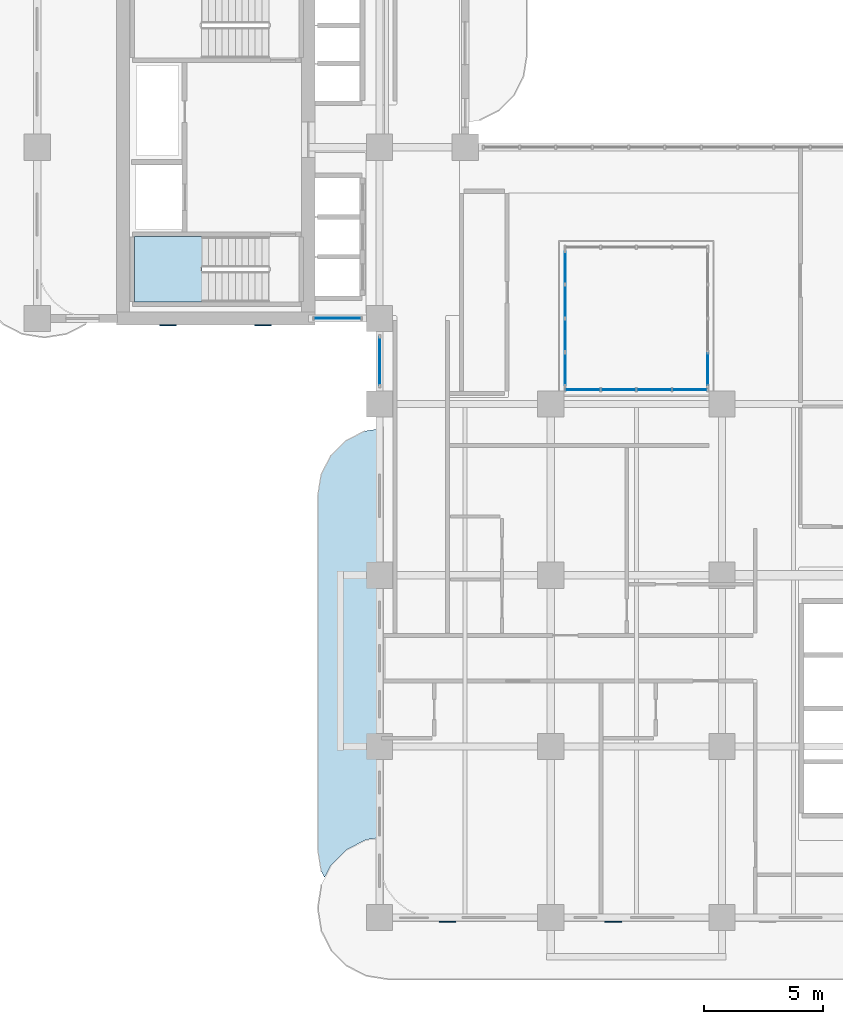
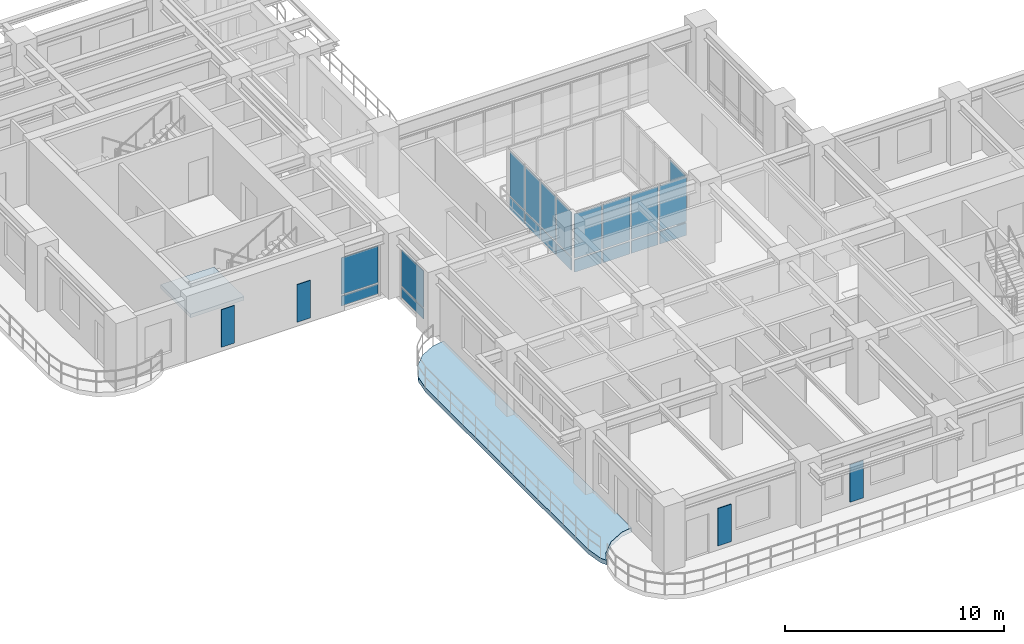
# One storey, part 8 of 22: 26 plates, 2 slabs, 6 elements without a shape of their own.
"""IFC4 building model written with IfcOpenShell, lengths in metres."""

from ifc_helpers import new_model, si_unit, derived_unit, direction, frame, origin, origin_2d, place, context, subcontext, project, spatial, polyline, rectangle, outline, extrude, source, transform, mapped, material, layer, layer_set, type_object, type_shapes, element, aggregate, save


model = new_model("IFC4")

# Units and contexts
model_context = context("Model", 3, precision=1e-05, world=origin(), true_north=direction((0.0, 1.0)))
body_context = subcontext(model_context, "Body", "Model", "MODEL_VIEW")
ifc_project = project(units=[si_unit("LENGTHUNIT", "METRE"), si_unit("AREAUNIT", "SQUARE_METRE"), si_unit("VOLUMEUNIT", "CUBIC_METRE"), si_unit("PLANEANGLEUNIT", "RADIAN"), si_unit("MASSUNIT", "GRAM", prefix="KILO"), si_unit("THERMODYNAMICTEMPERATUREUNIT", "KELVIN"), si_unit("POWERUNIT", "WATT"), derived_unit("THERMALTRANSMITTANCEUNIT", [(si_unit("POWERUNIT", "WATT"), 1), (si_unit("AREAUNIT", "SQUARE_METRE"), -1), (si_unit("THERMODYNAMICTEMPERATUREUNIT", "KELVIN"), -1)])], contexts=[model_context])

# Site, building, storey
site_placement = place(None, origin())
site = spatial("IfcSite", under=ifc_project, at=site_placement, CompositionType="ELEMENT")
building_placement = place(site_placement, origin())
building = spatial("IfcBuilding", under=site, at=building_placement, Name="Zahravan Archway Hotel and Residences", CompositionType="ELEMENT")
storey_placement = place(building_placement, frame((0.0, 0.0, 84.199951171875)))
storey = spatial("IfcBuildingStorey", under=building, at=storey_placement, Name="L20", CompositionType="ELEMENT", Elevation=84.199951171875)

# Slab
ifc_material_1 = material(Name="Concrete C45/55", Category="concrete")
ifc_layer_1 = layer(ifc_material_1, 0.25, Name="Concrete C45/55", Category="concrete")
ifc_layer_set_1 = layer_set([ifc_layer_1], Name="Concrete C45/55")
slab_type_1 = type_object("IfcSlabType", Name="SLB-BALC-250", PredefinedType="FLOOR", material=ifc_layer_set_1)
slab_1_placement = place(storey_placement, frame((0.0, 0.0, -0.25)))
element("IfcSlab", 1, at=slab_1_placement, inside=storey, type_object=slab_type_1, Name="L20 Wing A West Rounded Balcony Band", PredefinedType="FLOOR", context=body_context, shape_type="SweptSolid", body=[
    extrude(outline(polyline([(11.939453125, 1.96923828125), (11.800048828125, 2.85009765625), (11.800048828125, 17.75), (11.939453125, 18.630615234375), (12.34423828125, 19.42529296875), (12.974853515625, 20.0556640625), (13.769287109375, 20.46044921875), (14.3798828125, 20.55712890625), (14.3798828125, 3.361328125), (14.37890625, 3.361328125), (14.376953125, 3.361083984375), (13.835205078125, 3.275390625), (13.833251953125, 3.27490234375), (13.831298828125, 3.2744140625), (13.829345703125, 3.2734375), (13.0068359375, 2.8544921875), (13.005126953125, 2.853515625), (13.00341796875, 2.85205078125), (13.001953125, 2.8505859375), (12.349365234375, 2.197998046875), (12.347900390625, 2.196533203125), (12.3466796875, 2.19482421875), (12.345703125, 2.193115234375), (12.08544921875, 1.6826171875), (11.939453125, 1.96923828125)])), origin(), (0.0, 0.0, 1.0), 0.25),
])

# Stair, slab
ifc_material_2 = material(Name="Concrete C50/60", Category="concrete")
stair_type = type_object("IfcStairType", Name="STR-CORE-1300", PredefinedType="HALF_TURN_STAIR", material=ifc_material_2)
stair_placement = place(storey_placement, origin())
stair = element("IfcStair", 2, at=stair_placement, inside=storey, type_object=stair_type, Name="L20 Core B Exit Stair 1", PredefinedType="HALF_TURN_STAIR")
ifc_layer_2 = layer(ifc_material_2, 0.199951171875, Name="Concrete C50/60", Category="concrete")
ifc_layer_set_2 = layer_set([ifc_layer_2], Name="Concrete C50/60")
slab_type_2 = type_object("IfcSlabType", Name="SLB-LND-200", PredefinedType="LANDING", material=ifc_layer_set_2)
slab_2_placement = place(storey_placement, frame((0.0, 0.0, 1.650146484375)))
slab_2 = element("IfcSlab", 3, at=slab_2_placement, type_object=slab_type_2, Name="ST-B1 landing 1", PredefinedType="LANDING", context=body_context, shape_type="SweptSolid", body=[
    extrude(outline(polyline([(6.929931640625, 28.639892578125), (4.10009765625, 28.639892578125), (4.10009765625, 25.89990234375), (6.929931640625, 25.89990234375), (6.929931640625, 28.639892578125)])), origin(), (0.0, 0.0, 1.0), 0.199951171875),
])
aggregate(stair, [slab_2])

# Plates
ifc_material_3 = material(Name="Perforated Cast Bronze Jali Lattice")
ifc_layer_3 = layer(ifc_material_3, 0.044921875, Name="Perforated Cast Bronze Jali Lattice")
ifc_layer_set_3 = layer_set([ifc_layer_3], Name="Perforated Cast Bronze Jali Lattice")
plate_type_1 = type_object("IfcPlateType", Name="PLT-JALI-BAY", PredefinedType="USERDEFINED", material=ifc_layer_set_3)
shared_shape_1 = source(origin(), body_context, "Body", "SweptSolid", [
    extrude(rectangle(XDim=0.699951171875, YDim=0.044921875, at=origin_2d()), origin(), (0.0, 0.0, 1.0), 2.10009765625),
])
type_shapes(plate_type_1, [shared_shape_1])
for number, where, z_axis, x_axis, name in (
    (4, (5.5, 24.906982421875, 0.25), (0.0, 0.0, 1.0), (1.0, 0.0, 0.0), "L20 Core B South Mughal Jali Screen 1"),
    (5, (9.5, 24.906982421875, 0.25), (0.0, 0.0, 1.0), (1.0, 0.0, 0.0), "L20 Core B South Mughal Jali Screen 2"),
    (6, (17.25, -0.177978515625, 0.25), (0.0, 0.0, 1.0), (1.0, 0.0, 0.0), "L20 Perforated Bronze Jali Pier Screen 01"),
    (7, (24.22802734375, -0.177978515625, 0.25), (0.0, 0.0, 1.0), (1.0, 0.0, 0.0), "L20 Perforated Bronze Jali Pier Screen 02"),
):
    element("IfcPlate", number, at=place(storey_placement, frame(where, z_axis=z_axis, x_axis=x_axis)), inside=storey, type_object=plate_type_1, Name=name, ObjectType="SCREEN", PredefinedType="USERDEFINED", context=body_context, shape_type="MappedRepresentation", body=[
        mapped(shared_shape_1, transform((0.0, 0.0, 0.0), scale=1.0)),
    ])

# Curtain wall, plates
ifc_material_4 = material(Name="Bronze-Anodized Unitised Aluminium & Low-E Glass", Category="aluminium")
ifc_layer_4 = layer(ifc_material_4, 0.179931640625, Name="Bronze-Anodized Unitised Aluminium & Low-E Glass", Category="aluminium")
ifc_layer_set_4 = layer_set([ifc_layer_4], Name="Bronze-Anodized Unitised Aluminium & Low-E Glass")
curtain_wall_type_1 = type_object("IfcCurtainWallType", Name="CW-TWR-FEAT", PredefinedType="NOTDEFINED", material=ifc_layer_set_4)
curtain_wall_1_placement = place(storey_placement, origin())
curtain_wall_1 = element("IfcCurtainWall", 8, at=curtain_wall_1_placement, inside=storey, type_object=curtain_wall_type_1, Name="L20 Curtain Wall CW-L20-WB-SE-1", PredefinedType="NOTDEFINED")
ifc_material_5 = material(Name="Insulated Terracotta Spandrel Panel", Category="masonry")
ifc_layer_5 = layer(ifc_material_5, 0.0400390625, Name="Insulated Terracotta Spandrel Panel", Category="masonry")
ifc_layer_set_5 = layer_set([ifc_layer_5], Name="Insulated Terracotta Spandrel Panel")
plate_type_2 = type_object("IfcPlateType", Name="CWP-SPN-40", PredefinedType="SHEET", material=ifc_layer_set_5)
shared_shape_2 = source(origin(), body_context, "Body", "SweptSolid", [
    extrude(rectangle(XDim=1.93994140625, YDim=0.0400390625, at=origin_2d()), origin(), (0.0, 0.0, 1.0), 0.552490234375),
])
plate_1_placement = place(storey_placement, frame((12.6298828125, 25.199951171875, 0.10009765625), z_axis=(0.0, 0.0, 1.0), x_axis=(1.0, 0.0, 0.0)))
plate_1 = element("IfcPlate", 9, at=plate_1_placement, type_object=plate_type_2, Name="CW-L20-WB-SE-1 Spandrel Panel 0", PredefinedType="SHEET", context=body_context, shape_type="MappedRepresentation", body=[
    mapped(shared_shape_2, transform((0.0, 0.0, 0.0), scale=1.0)),
])
ifc_material_6 = material(Name="Double-Silver Low-E Insulated Vision Glass", Category="glass")
ifc_layer_6 = layer(ifc_material_6, 0.028076171875, Name="Double-Silver Low-E Insulated Vision Glass", Category="glass")
ifc_layer_set_6 = layer_set([ifc_layer_6], Name="Double-Silver Low-E Insulated Vision Glass")
plate_type_3 = type_object("IfcPlateType", Name="CWP-GLZ-28", PredefinedType="CURTAIN_PANEL", material=ifc_layer_set_6)
shared_shape_3 = source(origin(), body_context, "Body", "SweptSolid", [
    extrude(rectangle(XDim=1.93994140625, YDim=0.028076171875, at=origin_2d()), origin(), (0.0, 0.0, 1.0), 2.052490234375),
])
plate_2_placement = place(storey_placement, frame((12.6298828125, 25.199951171875, 0.732421875), z_axis=(0.0, 0.0, 1.0), x_axis=(1.0, 0.0, 0.0)))
plate_2 = element("IfcPlate", 10, at=plate_2_placement, type_object=plate_type_3, Name="CW-L20-WB-SE-1 Low-E Vision Panel 0", PredefinedType="CURTAIN_PANEL", context=body_context, shape_type="MappedRepresentation", body=[
    mapped(shared_shape_3, transform((0.0, 0.0, 0.0), scale=1.0)),
])
aggregate(curtain_wall_1, [plate_1, plate_2])

curtain_wall_2_placement = place(storey_placement, origin())
curtain_wall_2 = element("IfcCurtainWall", 11, at=curtain_wall_2_placement, inside=storey, type_object=curtain_wall_type_1, Name="L20 Curtain Wall CW-L20-WA-WLU-1", PredefinedType="NOTDEFINED")
shared_shape_4 = source(origin(), body_context, "Body", "SweptSolid", [
    extrude(rectangle(XDim=2.0, YDim=0.0400390625, at=origin_2d()), origin(), (0.0, 0.0, 1.0), 0.552490234375),
])
plate_3_placement = place(storey_placement, frame((14.39990234375, 23.39990234375, 0.10009765625), z_axis=(0.0, 0.0, 1.0), x_axis=(0.0, 1.0, 0.0)))
plate_3 = element("IfcPlate", 12, at=plate_3_placement, type_object=plate_type_2, Name="CW-L20-WA-WLU-1 Spandrel Panel 0", PredefinedType="SHEET", context=body_context, shape_type="MappedRepresentation", body=[
    mapped(shared_shape_4, transform((0.0, 0.0, 0.0), scale=1.0)),
])
shared_shape_5 = source(origin(), body_context, "Body", "SweptSolid", [
    extrude(rectangle(XDim=2.0, YDim=0.028076171875, at=origin_2d()), origin(), (0.0, 0.0, 1.0), 2.052490234375),
])
plate_4_placement = place(storey_placement, frame((14.39990234375, 23.39990234375, 0.732421875), z_axis=(0.0, 0.0, 1.0), x_axis=(0.0, 1.0, 0.0)))
plate_4 = element("IfcPlate", 13, at=plate_4_placement, type_object=plate_type_3, Name="CW-L20-WA-WLU-1 Low-E Vision Panel 0", PredefinedType="CURTAIN_PANEL", context=body_context, shape_type="MappedRepresentation", body=[
    mapped(shared_shape_5, transform((0.0, 0.0, 0.0), scale=1.0)),
])
aggregate(curtain_wall_2, [plate_3, plate_4])

ifc_layer_7 = layer(ifc_material_4, 0.179931640625, Name="Bronze-Anodized Unitised Aluminium & Low-E Glass", Category="aluminium")
ifc_layer_set_7 = layer_set([ifc_layer_7], Name="Bronze-Anodized Unitised Aluminium & Low-E Glass")
curtain_wall_type_2 = type_object("IfcCurtainWallType", Name="CW-ATR-GLAZ", PredefinedType="NOTDEFINED", material=ifc_layer_set_7)
curtain_wall_3_placement = place(storey_placement, origin())
curtain_wall_3 = element("IfcCurtainWall", 14, at=curtain_wall_3_placement, inside=storey, type_object=curtain_wall_type_2, Name="L20 Curtain Wall CW-ATR-L20-S-1", PredefinedType="NOTDEFINED")
shared_shape_6 = source(origin(), body_context, "Body", "SweptSolid", [
    extrude(rectangle(XDim=1.419921875, YDim=0.0400390625, at=origin_2d()), origin(), (0.0, 0.0, 1.0), 0.68798828125),
])
plate_5_placement = place(storey_placement, frame((22.949951171875, 22.199951171875, 0.10009765625), z_axis=(0.0, 0.0, 1.0), x_axis=(1.0, 0.0, 0.0)))
plate_5 = element("IfcPlate", 15, at=plate_5_placement, type_object=plate_type_2, Name="CW-ATR-L20-S-1 Spandrel Panel 0", PredefinedType="SHEET", context=body_context, shape_type="MappedRepresentation", body=[
    mapped(shared_shape_6, transform((0.0, 0.0, 0.0), scale=1.0)),
])
plate_6_placement = place(storey_placement, frame((24.449951171875, 22.199951171875, 0.10009765625), z_axis=(0.0, 0.0, 1.0), x_axis=(1.0, 0.0, 0.0)))
plate_6 = element("IfcPlate", 16, at=plate_6_placement, type_object=plate_type_2, Name="CW-ATR-L20-S-1 Spandrel Panel 1", PredefinedType="SHEET", context=body_context, shape_type="MappedRepresentation", body=[
    mapped(shared_shape_6, transform((0.0, 0.0, 0.0), scale=1.0)),
])
plate_7_placement = place(storey_placement, frame((25.949951171875, 22.199951171875, 0.10009765625), z_axis=(0.0, 0.0, 1.0), x_axis=(1.0, 0.0, 0.0)))
plate_7 = element("IfcPlate", 17, at=plate_7_placement, type_object=plate_type_2, Name="CW-ATR-L20-S-1 Spandrel Panel 2", PredefinedType="SHEET", context=body_context, shape_type="MappedRepresentation", body=[
    mapped(shared_shape_6, transform((0.0, 0.0, 0.0), scale=1.0)),
])
plate_8_placement = place(storey_placement, frame((27.449951171875, 22.199951171875, 0.10009765625), z_axis=(0.0, 0.0, 1.0), x_axis=(1.0, 0.0, 0.0)))
plate_8 = element("IfcPlate", 18, at=plate_8_placement, type_object=plate_type_2, Name="CW-ATR-L20-S-1 Spandrel Panel 3", PredefinedType="SHEET", context=body_context, shape_type="MappedRepresentation", body=[
    mapped(shared_shape_6, transform((0.0, 0.0, 0.0), scale=1.0)),
])
shared_shape_7 = source(origin(), body_context, "Body", "SweptSolid", [
    extrude(rectangle(XDim=1.419921875, YDim=0.028076171875, at=origin_2d()), origin(), (0.0, 0.0, 1.0), 2.48193359375),
])
plate_9_placement = place(storey_placement, frame((22.949951171875, 22.199951171875, 0.8681640625), z_axis=(0.0, 0.0, 1.0), x_axis=(1.0, 0.0, 0.0)))
plate_9 = element("IfcPlate", 19, at=plate_9_placement, type_object=plate_type_3, Name="CW-ATR-L20-S-1 Low-E Vision Panel 0", PredefinedType="CURTAIN_PANEL", context=body_context, shape_type="MappedRepresentation", body=[
    mapped(shared_shape_7, transform((0.0, 0.0, 0.0), scale=1.0)),
])
plate_10_placement = place(storey_placement, frame((24.449951171875, 22.199951171875, 0.8681640625), z_axis=(0.0, 0.0, 1.0), x_axis=(1.0, 0.0, 0.0)))
plate_10 = element("IfcPlate", 20, at=plate_10_placement, type_object=plate_type_3, Name="CW-ATR-L20-S-1 Low-E Vision Panel 1", PredefinedType="CURTAIN_PANEL", context=body_context, shape_type="MappedRepresentation", body=[
    mapped(shared_shape_7, transform((0.0, 0.0, 0.0), scale=1.0)),
])
plate_11_placement = place(storey_placement, frame((25.949951171875, 22.199951171875, 0.8681640625), z_axis=(0.0, 0.0, 1.0), x_axis=(1.0, 0.0, 0.0)))
plate_11 = element("IfcPlate", 21, at=plate_11_placement, type_object=plate_type_3, Name="CW-ATR-L20-S-1 Low-E Vision Panel 2", PredefinedType="CURTAIN_PANEL", context=body_context, shape_type="MappedRepresentation", body=[
    mapped(shared_shape_7, transform((0.0, 0.0, 0.0), scale=1.0)),
])
plate_12_placement = place(storey_placement, frame((27.449951171875, 22.199951171875, 0.8681640625), z_axis=(0.0, 0.0, 1.0), x_axis=(1.0, 0.0, 0.0)))
plate_12 = element("IfcPlate", 22, at=plate_12_placement, type_object=plate_type_3, Name="CW-ATR-L20-S-1 Low-E Vision Panel 3", PredefinedType="CURTAIN_PANEL", context=body_context, shape_type="MappedRepresentation", body=[
    mapped(shared_shape_7, transform((0.0, 0.0, 0.0), scale=1.0)),
])
aggregate(curtain_wall_3, [plate_5, plate_9, plate_6, plate_10, plate_7, plate_11, plate_8, plate_12])

curtain_wall_4_placement = place(storey_placement, origin())
curtain_wall_4 = element("IfcCurtainWall", 23, at=curtain_wall_4_placement, inside=storey, type_object=curtain_wall_type_2, Name="L20 Curtain Wall CW-ATR-L20-W-1", PredefinedType="NOTDEFINED")
shared_shape_8 = source(origin(), body_context, "Body", "SweptSolid", [
    extrude(rectangle(XDim=1.344970703125, YDim=0.0400390625, at=origin_2d()), origin(), (0.0, 0.0, 1.0), 0.68798828125),
])
plate_13_placement = place(storey_placement, frame((22.199951171875, 23.0625, 0.10009765625), z_axis=(0.0, 0.0, 1.0), x_axis=(0.0, 1.0, 0.0)))
plate_13 = element("IfcPlate", 24, at=plate_13_placement, type_object=plate_type_2, Name="CW-ATR-L20-W-1 Spandrel Panel 0", PredefinedType="SHEET", context=body_context, shape_type="MappedRepresentation", body=[
    mapped(shared_shape_8, transform((0.0, 0.0, 0.0), scale=1.0)),
])
plate_14_placement = place(storey_placement, frame((22.199951171875, 24.487548828125, 0.10009765625), z_axis=(0.0, 0.0, 1.0), x_axis=(0.0, 1.0, 0.0)))
plate_14 = element("IfcPlate", 25, at=plate_14_placement, type_object=plate_type_2, Name="CW-ATR-L20-W-1 Spandrel Panel 1", PredefinedType="SHEET", context=body_context, shape_type="MappedRepresentation", body=[
    mapped(shared_shape_8, transform((0.0, 0.0, 0.0), scale=1.0)),
])
plate_15_placement = place(storey_placement, frame((22.199951171875, 25.91259765625, 0.10009765625), z_axis=(0.0, 0.0, 1.0), x_axis=(0.0, 1.0, 0.0)))
plate_15 = element("IfcPlate", 26, at=plate_15_placement, type_object=plate_type_2, Name="CW-ATR-L20-W-1 Spandrel Panel 2", PredefinedType="SHEET", context=body_context, shape_type="MappedRepresentation", body=[
    mapped(shared_shape_8, transform((0.0, 0.0, 0.0), scale=1.0)),
])
plate_16_placement = place(storey_placement, frame((22.199951171875, 27.33740234375, 0.10009765625), z_axis=(0.0, 0.0, 1.0), x_axis=(0.0, 1.0, 0.0)))
plate_16 = element("IfcPlate", 27, at=plate_16_placement, type_object=plate_type_2, Name="CW-ATR-L20-W-1 Spandrel Panel 3", PredefinedType="SHEET", context=body_context, shape_type="MappedRepresentation", body=[
    mapped(shared_shape_8, transform((0.0, 0.0, 0.0), scale=1.0)),
])

# Curtain wall, plate
curtain_wall_5_placement = place(storey_placement, origin())
curtain_wall_5 = element("IfcCurtainWall", 28, at=curtain_wall_5_placement, inside=storey, type_object=curtain_wall_type_2, Name="L20 Curtain Wall CW-ATR-L20-E-1", PredefinedType="NOTDEFINED")
plate_17_placement = place(storey_placement, frame((28.199951171875, 23.0625, 0.10009765625), z_axis=(0.0, 0.0, 1.0), x_axis=(0.0, 1.0, 0.0)))
plate_17 = element("IfcPlate", 29, at=plate_17_placement, type_object=plate_type_2, Name="CW-ATR-L20-E-1 Spandrel Panel 0", PredefinedType="SHEET", context=body_context, shape_type="MappedRepresentation", body=[
    mapped(shared_shape_8, transform((0.0, 0.0, 0.0), scale=1.0)),
])

# Plate
shared_shape_9 = source(origin(), body_context, "Body", "SweptSolid", [
    extrude(rectangle(XDim=1.344970703125, YDim=0.028076171875, at=origin_2d()), origin(), (0.0, 0.0, 1.0), 2.48193359375),
])
plate_18_placement = place(storey_placement, frame((22.199951171875, 23.0625, 0.8681640625), z_axis=(0.0, 0.0, 1.0), x_axis=(0.0, 1.0, 0.0)))
plate_18 = element("IfcPlate", 30, at=plate_18_placement, type_object=plate_type_3, Name="CW-ATR-L20-W-1 Low-E Vision Panel 0", PredefinedType="CURTAIN_PANEL", context=body_context, shape_type="MappedRepresentation", body=[
    mapped(shared_shape_9, transform((0.0, 0.0, 0.0), scale=1.0)),
])

plate_19_placement = place(storey_placement, frame((22.199951171875, 24.487548828125, 0.8681640625), z_axis=(0.0, 0.0, 1.0), x_axis=(0.0, 1.0, 0.0)))
plate_19 = element("IfcPlate", 31, at=plate_19_placement, type_object=plate_type_3, Name="CW-ATR-L20-W-1 Low-E Vision Panel 1", PredefinedType="CURTAIN_PANEL", context=body_context, shape_type="MappedRepresentation", body=[
    mapped(shared_shape_9, transform((0.0, 0.0, 0.0), scale=1.0)),
])

plate_20_placement = place(storey_placement, frame((22.199951171875, 25.91259765625, 0.8681640625), z_axis=(0.0, 0.0, 1.0), x_axis=(0.0, 1.0, 0.0)))
plate_20 = element("IfcPlate", 32, at=plate_20_placement, type_object=plate_type_3, Name="CW-ATR-L20-W-1 Low-E Vision Panel 2", PredefinedType="CURTAIN_PANEL", context=body_context, shape_type="MappedRepresentation", body=[
    mapped(shared_shape_9, transform((0.0, 0.0, 0.0), scale=1.0)),
])

plate_21_placement = place(storey_placement, frame((22.199951171875, 27.33740234375, 0.8681640625), z_axis=(0.0, 0.0, 1.0), x_axis=(0.0, 1.0, 0.0)))
plate_21 = element("IfcPlate", 33, at=plate_21_placement, type_object=plate_type_3, Name="CW-ATR-L20-W-1 Low-E Vision Panel 3", PredefinedType="CURTAIN_PANEL", context=body_context, shape_type="MappedRepresentation", body=[
    mapped(shared_shape_9, transform((0.0, 0.0, 0.0), scale=1.0)),
])

aggregate(curtain_wall_4, [plate_13, plate_18, plate_14, plate_19, plate_15, plate_20, plate_16, plate_21])

plate_22_placement = place(storey_placement, frame((28.199951171875, 23.0625, 0.8681640625), z_axis=(0.0, 0.0, 1.0), x_axis=(0.0, 1.0, 0.0)))
plate_22 = element("IfcPlate", 34, at=plate_22_placement, type_object=plate_type_3, Name="CW-ATR-L20-E-1 Low-E Vision Panel 0", PredefinedType="CURTAIN_PANEL", context=body_context, shape_type="MappedRepresentation", body=[
    mapped(shared_shape_9, transform((0.0, 0.0, 0.0), scale=1.0)),
])

aggregate(curtain_wall_5, [plate_17, plate_22])

save(model, "model.ifc")
